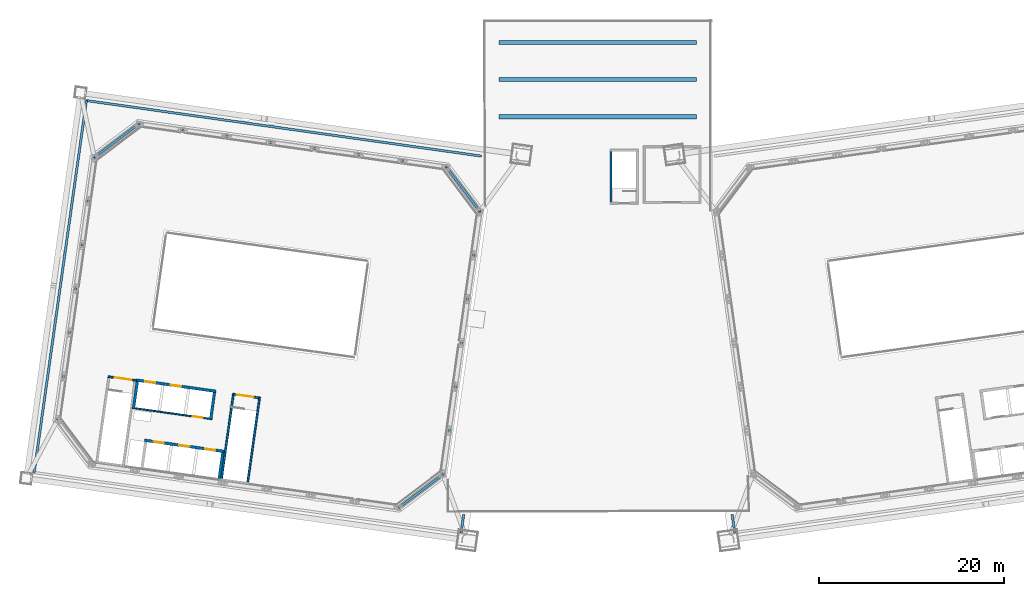
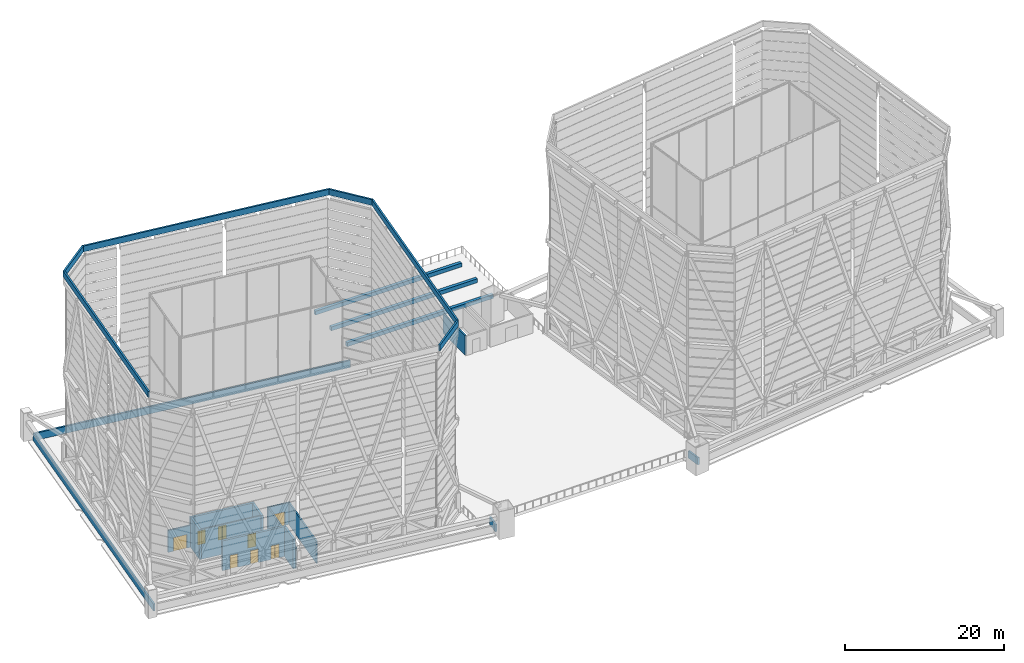
# One storey, part 20 of 45: 24 walls, 8 doors, 8 openings.
"""IFC4 building model written with IfcOpenShell, lengths in metres."""

from ifc_helpers import new_model, si_unit, direction, frame, frame_2d, origin, place, context, subcontext, project, spatial, rectangle, extrude, material, layer, layer_set, type_object, element, fill, save


model = new_model("IFC4")

# Units and contexts
model_context = context("Model", 3, precision=1e-05, world=origin(), true_north=direction((0.0, 1.0)))
body_context = subcontext(model_context, "Body", "Model", "MODEL_VIEW")
ifc_project = project(units=[si_unit("LENGTHUNIT", "METRE"), si_unit("AREAUNIT", "SQUARE_METRE"), si_unit("VOLUMEUNIT", "CUBIC_METRE"), si_unit("PLANEANGLEUNIT", "RADIAN"), si_unit("MASSUNIT", "GRAM", prefix="KILO")], contexts=[model_context])

# Site, building, storey
site_placement = place(None, origin())
site = spatial("IfcSite", under=ifc_project, at=site_placement, CompositionType="ELEMENT")
building_placement = place(site_placement, origin())
building = spatial("IfcBuilding", under=site, at=building_placement, Name="Mirante Cascada Hotel Towers", CompositionType="ELEMENT")
storey_placement = place(building_placement, frame((0.0, 0.0, 269.8)))
storey = spatial("IfcBuildingStorey", under=building, at=storey_placement, Name="Roof garden", CompositionType="ELEMENT", Elevation=269.8)

# Wall, opening, door
ifc_material_1 = material(Name="Concrete C50/60", Category="concrete")
ifc_layer_1 = layer(ifc_material_1, 0.15)
ifc_layer_set_1 = layer_set([ifc_layer_1], Name="Lift overrun wall 150 RC C50/60")
wall_type_1 = type_object("IfcWallType", Name="Lift overrun wall 150 RC C50/60", PredefinedType="SHEAR", material=ifc_layer_set_1)
wall_1_placement = place(storey_placement, frame((-41.6049, -12.3607, 0.0), z_axis=(0.0, 0.0, 1.0), x_axis=(-0.9902681, 0.1391729, 0.0)))
wall_1 = element("IfcWall", 1, at=wall_1_placement, inside=storey, type_object=wall_type_1, Name="Lift overrun wall T1 F1", PredefinedType="SHEAR", context=body_context, shape_type="SweptSolid", body=[
    extrude(rectangle(XDim=8.7, YDim=0.15, at=frame_2d((4.35, 0.0))), origin(), (0.0, 0.0, 1.0), 4.6),
])
opening_1_placement = place(wall_1_placement, frame((1.0, 0.0, 0.0)))
opening_1 = element("IfcOpeningElement", 2, at=opening_1_placement, cuts=wall_1, Name="Opening LD", PredefinedType="OPENING", context=body_context, shape_type="SweptSolid", body=[
    extrude(rectangle(XDim=1.1, YDim=2.1, at=frame_2d((0.55, 1.05))), frame((0.0, 0.075, 0.0), z_axis=(0.0, -1.0, 0.0), x_axis=(1.0, 0.0, 0.0)), (0.0, 0.0, 1.0), 0.15),
])
ifc_material_2 = material(Name="Stainless steel", Category="steel")
door_type_1 = type_object("IfcDoorType", Name="Lift landing door 1100x2100 EI 120", OperationType="DOUBLE_DOOR_SLIDING", PredefinedType="DOOR", material=ifc_material_2)
door_1_placement = place(opening_1_placement, origin())
door_1 = element("IfcDoor", 3, at=door_1_placement, inside=storey, type_object=door_type_1, Name="Lift landing door HR1-4 Roof", OperationType="DOUBLE_DOOR_SLIDING", OverallHeight=2.1, OverallWidth=1.1, PredefinedType="DOOR", context=body_context, shape_type="SweptSolid", body=[
    extrude(rectangle(XDim=0.545, YDim=2.1, at=frame_2d((0.2725, 1.05))), frame((0.0, 0.025, 0.0), z_axis=(0.0, -1.0, 0.0), x_axis=(1.0, 0.0, 0.0)), (0.0, 0.0, 1.0), 0.05),
    extrude(rectangle(XDim=0.545, YDim=2.1, at=frame_2d((0.8275, 1.05))), frame((0.0, 0.025, 0.0), z_axis=(0.0, -1.0, 0.0), x_axis=(1.0, 0.0, 0.0)), (0.0, 0.0, 1.0), 0.05),
])
fill(opening_1, door_1)

# Wall, openings, doors
ifc_material_3 = material(Name="Concrete C50/60", Category="concrete")
ifc_layer_2 = layer(ifc_material_3, 0.3)
ifc_layer_set_2 = layer_set([ifc_layer_2], Name="Lift overrun wall 300 RC C50/60")
wall_type_2 = type_object("IfcWallType", Name="Lift overrun wall 300 RC C50/60", PredefinedType="SHEAR", material=ifc_layer_set_2)
wall_2_placement = place(storey_placement, frame((-40.2782, -15.8544, 0.0), z_axis=(0.0, 0.0, 1.0), x_axis=(-0.9902681, 0.1391729, 0.0)))
wall_2 = element("IfcWall", 4, at=wall_2_placement, inside=storey, type_object=wall_type_2, Name="Lift overrun wall T1 R2", PredefinedType="SHEAR", context=body_context, shape_type="SweptSolid", body=[
    extrude(rectangle(XDim=8.7, YDim=0.3, at=frame_2d((4.35, 0.0))), origin(), (0.0, 0.0, 1.0), 4.6),
])
opening_2_placement = place(wall_2_placement, frame((1.0, 0.0, 0.0)))
opening_2 = element("IfcOpeningElement", 5, at=opening_2_placement, cuts=wall_2, Name="Opening LD", PredefinedType="OPENING", context=body_context, shape_type="SweptSolid", body=[
    extrude(rectangle(XDim=1.1, YDim=2.1, at=frame_2d((0.55, 1.05))), frame((0.0, 0.15, 0.0), z_axis=(0.0, -1.0, 0.0), x_axis=(1.0, 0.0, 0.0)), (0.0, 0.0, 1.0), 0.3),
])
opening_3_placement = place(wall_2_placement, frame((3.8, 0.0, 0.0)))
opening_3 = element("IfcOpeningElement", 6, at=opening_3_placement, cuts=wall_2, Name="Opening LD", PredefinedType="OPENING", context=body_context, shape_type="SweptSolid", body=[
    extrude(rectangle(XDim=1.1, YDim=2.1, at=frame_2d((0.55, 1.05))), frame((0.0, 0.15, 0.0), z_axis=(0.0, -1.0, 0.0), x_axis=(1.0, 0.0, 0.0)), (0.0, 0.0, 1.0), 0.3),
])
opening_4_placement = place(wall_2_placement, frame((6.6, 0.0, 0.0)))
opening_4 = element("IfcOpeningElement", 7, at=opening_4_placement, cuts=wall_2, Name="Opening LD", PredefinedType="OPENING", context=body_context, shape_type="SweptSolid", body=[
    extrude(rectangle(XDim=1.1, YDim=2.1, at=frame_2d((0.55, 1.05))), frame((0.0, 0.15, 0.0), z_axis=(0.0, -1.0, 0.0), x_axis=(1.0, 0.0, 0.0)), (0.0, 0.0, 1.0), 0.3),
])
door_2_placement = place(opening_2_placement, origin())
door_2 = element("IfcDoor", 8, at=door_2_placement, inside=storey, type_object=door_type_1, Name="Lift landing door HR1-1 Roof", OperationType="DOUBLE_DOOR_SLIDING", OverallHeight=2.1, OverallWidth=1.1, PredefinedType="DOOR", context=body_context, shape_type="SweptSolid", body=[
    extrude(rectangle(XDim=0.545, YDim=2.1, at=frame_2d((0.2725, 1.05))), frame((0.0, 0.025, 0.0), z_axis=(0.0, -1.0, 0.0), x_axis=(1.0, 0.0, 0.0)), (0.0, 0.0, 1.0), 0.05),
    extrude(rectangle(XDim=0.545, YDim=2.1, at=frame_2d((0.8275, 1.05))), frame((0.0, 0.025, 0.0), z_axis=(0.0, -1.0, 0.0), x_axis=(1.0, 0.0, 0.0)), (0.0, 0.0, 1.0), 0.05),
])
fill(opening_2, door_2)
door_3_placement = place(opening_3_placement, origin())
door_3 = element("IfcDoor", 9, at=door_3_placement, inside=storey, type_object=door_type_1, Name="Lift landing door HR1-2 Roof", OperationType="DOUBLE_DOOR_SLIDING", OverallHeight=2.1, OverallWidth=1.1, PredefinedType="DOOR", context=body_context, shape_type="SweptSolid", body=[
    extrude(rectangle(XDim=0.545, YDim=2.1, at=frame_2d((0.2725, 1.05))), frame((0.0, 0.025, 0.0), z_axis=(0.0, -1.0, 0.0), x_axis=(1.0, 0.0, 0.0)), (0.0, 0.0, 1.0), 0.05),
    extrude(rectangle(XDim=0.545, YDim=2.1, at=frame_2d((0.8275, 1.05))), frame((0.0, 0.025, 0.0), z_axis=(0.0, -1.0, 0.0), x_axis=(1.0, 0.0, 0.0)), (0.0, 0.0, 1.0), 0.05),
])
fill(opening_3, door_3)
door_4_placement = place(opening_4_placement, origin())
door_4 = element("IfcDoor", 10, at=door_4_placement, inside=storey, type_object=door_type_1, Name="Lift landing door HR1-3 Roof", OperationType="DOUBLE_DOOR_SLIDING", OverallHeight=2.1, OverallWidth=1.1, PredefinedType="DOOR", context=body_context, shape_type="SweptSolid", body=[
    extrude(rectangle(XDim=0.545, YDim=2.1, at=frame_2d((0.2725, 1.05))), frame((0.0, 0.025, 0.0), z_axis=(0.0, -1.0, 0.0), x_axis=(1.0, 0.0, 0.0)), (0.0, 0.0, 1.0), 0.05),
    extrude(rectangle(XDim=0.545, YDim=2.1, at=frame_2d((0.8275, 1.05))), frame((0.0, 0.025, 0.0), z_axis=(0.0, -1.0, 0.0), x_axis=(1.0, 0.0, 0.0)), (0.0, 0.0, 1.0), 0.05),
])
fill(opening_4, door_4)

# Wall
wall_3_placement = place(storey_placement, frame((-40.8582, -18.9033, 0.0), z_axis=(0.0, 0.0, 1.0), x_axis=(0.1391858, 0.9902663, 0.0)))
element("IfcWall", 11, at=wall_3_placement, inside=storey, type_object=wall_type_2, Name="Lift overrun wall T1 R3", PredefinedType="SHEAR", context=body_context, shape_type="SweptSolid", body=[
    extrude(rectangle(XDim=2.95, YDim=0.3, at=frame_2d((1.475, 0.0))), origin(), (0.0, 0.0, 1.0), 4.6),
])

# Wall, openings, doors
wall_4_placement = place(storey_placement, frame((-41.1839, -9.3652, 0.0), z_axis=(0.0, 0.0, 1.0), x_axis=(-0.9902681, 0.1391729, 0.0)))
wall_4 = element("IfcWall", 12, at=wall_4_placement, inside=storey, type_object=wall_type_2, Name="Lift overrun wall T1 F2", PredefinedType="SHEAR", context=body_context, shape_type="SweptSolid", body=[
    extrude(rectangle(XDim=8.7, YDim=0.3, at=frame_2d((4.35, 0.0))), origin(), (0.0, 0.0, 1.0), 4.6),
])
opening_5_placement = place(wall_4_placement, frame((3.8, 0.0, 0.0)))
opening_5 = element("IfcOpeningElement", 13, at=opening_5_placement, cuts=wall_4, Name="Opening LD", PredefinedType="OPENING", context=body_context, shape_type="SweptSolid", body=[
    extrude(rectangle(XDim=1.1, YDim=2.1, at=frame_2d((0.55, 1.05))), frame((0.0, 0.15, 0.0), z_axis=(0.0, -1.0, 0.0), x_axis=(1.0, 0.0, 0.0)), (0.0, 0.0, 1.0), 0.3),
])
opening_6_placement = place(wall_4_placement, frame((6.6, 0.0, 0.0)))
opening_6 = element("IfcOpeningElement", 14, at=opening_6_placement, cuts=wall_4, Name="Opening LD", PredefinedType="OPENING", context=body_context, shape_type="SweptSolid", body=[
    extrude(rectangle(XDim=1.1, YDim=2.1, at=frame_2d((0.55, 1.05))), frame((0.0, 0.15, 0.0), z_axis=(0.0, -1.0, 0.0), x_axis=(1.0, 0.0, 0.0)), (0.0, 0.0, 1.0), 0.3),
])
door_5_placement = place(opening_5_placement, origin())
door_5 = element("IfcDoor", 15, at=door_5_placement, inside=storey, type_object=door_type_1, Name="Lift landing door FF1 Roof", OperationType="DOUBLE_DOOR_SLIDING", OverallHeight=2.1, OverallWidth=1.1, PredefinedType="DOOR", context=body_context, shape_type="SweptSolid", body=[
    extrude(rectangle(XDim=0.545, YDim=2.1, at=frame_2d((0.2725, 1.05))), frame((0.0, 0.025, 0.0), z_axis=(0.0, -1.0, 0.0), x_axis=(1.0, 0.0, 0.0)), (0.0, 0.0, 1.0), 0.05),
    extrude(rectangle(XDim=0.545, YDim=2.1, at=frame_2d((0.8275, 1.05))), frame((0.0, 0.025, 0.0), z_axis=(0.0, -1.0, 0.0), x_axis=(1.0, 0.0, 0.0)), (0.0, 0.0, 1.0), 0.05),
])
fill(opening_5, door_5)
door_6_placement = place(opening_6_placement, origin())
door_6 = element("IfcDoor", 16, at=door_6_placement, inside=storey, type_object=door_type_1, Name="Lift landing door FF2 Roof", OperationType="DOUBLE_DOOR_SLIDING", OverallHeight=2.1, OverallWidth=1.1, PredefinedType="DOOR", context=body_context, shape_type="SweptSolid", body=[
    extrude(rectangle(XDim=0.545, YDim=2.1, at=frame_2d((0.2725, 1.05))), frame((0.0, 0.025, 0.0), z_axis=(0.0, -1.0, 0.0), x_axis=(1.0, 0.0, 0.0)), (0.0, 0.0, 1.0), 0.05),
    extrude(rectangle(XDim=0.545, YDim=2.1, at=frame_2d((0.8275, 1.05))), frame((0.0, 0.025, 0.0), z_axis=(0.0, -1.0, 0.0), x_axis=(1.0, 0.0, 0.0)), (0.0, 0.0, 1.0), 0.05),
])
fill(opening_6, door_6)

# Walls
for number, where, z_axis, x_axis, name in (
    (17, (-41.7639, -12.4141, 0.0), (0.0, 0.0, 1.0), (0.1391858, 0.9902663, 0.0), "Lift overrun wall T1 F3"),
    (18, (-50.0821, -11.2451, 0.0), (0.0, 0.0, 1.0), (0.1391858, 0.9902663, 0.0), "Lift overrun wall T1 F4"),
):
    element("IfcWall", number, at=place(storey_placement, frame(where, z_axis=z_axis, x_axis=x_axis)), inside=storey, type_object=wall_type_2, Name=name, PredefinedType="SHEAR", context=body_context, shape_type="SweptSolid", body=[
        extrude(rectangle(XDim=2.95, YDim=0.3, at=frame_2d((1.475, 0.0))), origin(), (0.0, 0.0, 1.0), 4.6),
    ])
ifc_material_4 = material(Name="Precast concrete C40/50", Category="concrete")
ifc_layer_3 = layer(ifc_material_4, 0.45)
ifc_layer_set_3 = layer_set([ifc_layer_3], Name="Planter wall 450 concrete C40/50")
wall_type_3 = type_object("IfcWallType", Name="Planter wall 450 concrete C40/50", PredefinedType="PARAPET", material=ifc_layer_set_3)
for number, where, z_axis, x_axis, name in (
    (19, (-10.6514, 28.2481, 0.0), (0.0, 0.0, 1.0), (1.0, 0.0, 0.0), "PLANTER sky park roof garden bed 1"),
    (20, (-10.6514, 24.2481, 0.0), (0.0, 0.0, 1.0), (1.0, 0.0, 0.0), "PLANTER sky park roof garden bed 2"),
    (21, (-10.6514, 20.2481, 0.0), (0.0, 0.0, 1.0), (1.0, 0.0, 0.0), "PLANTER sky park roof garden bed 3"),
):
    element("IfcWall", number, at=place(storey_placement, frame(where, z_axis=z_axis, x_axis=x_axis)), inside=storey, type_object=wall_type_3, Name=name, PredefinedType="PARAPET", context=body_context, shape_type="SweptSolid", body=[
        extrude(rectangle(XDim=21.3028, YDim=0.45, at=frame_2d((10.6514, 0.0))), origin(), (0.0, 0.0, 1.0), 0.6),
    ])
ifc_material_5 = material(Name="Precast concrete C40/50", Category="concrete")
ifc_layer_4 = layer(ifc_material_5, 0.2)
ifc_layer_set_4 = layer_set([ifc_layer_4], Name="Precast concrete C40/50 head-house wall 200 EI 120")
wall_type_4 = type_object("IfcWallType", Name="Precast concrete C40/50 head-house wall 200 EI 120", PredefinedType="STANDARD", material=ifc_layer_set_4)
wall_5_placement = place(storey_placement, frame((1.4, 16.51, 0.0), z_axis=(0.0, 0.0, 1.0), x_axis=(0.0, -1.0, 0.0)))
element("IfcWall", 22, at=wall_5_placement, inside=storey, type_object=wall_type_4, Name="Stair head-house wall west", PredefinedType="STANDARD", context=body_context, shape_type="SweptSolid", body=[
    extrude(rectangle(XDim=5.5, YDim=0.2, at=frame_2d((2.75, 0.0))), origin(), (0.0, 0.0, 1.0), 3.0),
])
ifc_material_6 = material(Name="Precast concrete C40/50", Category="concrete")
ifc_layer_5 = layer(ifc_material_6, 0.25)
ifc_layer_set_5 = layer_set([ifc_layer_5], Name="Roof parapet wall 250 concrete C40/50")
wall_type_5 = type_object("IfcWallType", Name="Roof parapet wall 250 concrete C40/50", PredefinedType="PARAPET", material=ifc_layer_set_5)
wall_6_placement = place(storey_placement, frame((-14.4731, -22.6519, 0.0), z_axis=(0.0, 0.0, 1.0), x_axis=(-0.1391853, -0.9902664, 0.0)))
element("IfcWall", 23, at=wall_6_placement, inside=storey, type_object=wall_type_5, Name="Crown edge parapet T1 1", PredefinedType="PARAPET", context=body_context, shape_type="SweptSolid", body=[
    extrude(rectangle(XDim=1.96, YDim=0.25, at=frame_2d((0.98, 0.0))), origin(), (0.0, 0.0, 1.0), 1.1),
])
wall_7_placement = place(storey_placement, frame((-60.7933, -18.1213, 0.0), z_axis=(0.0, 0.0, 1.0), x_axis=(0.1391727, 0.9902681, 0.0)))
element("IfcWall", 24, at=wall_7_placement, inside=storey, type_object=wall_type_5, Name="Crown edge parapet T1 3", PredefinedType="PARAPET", context=body_context, shape_type="SweptSolid", body=[
    extrude(rectangle(XDim=40.5, YDim=0.25, at=frame_2d((20.25, 0.0))), origin(), (0.0, 0.0, 1.0), 1.1),
])
wall_8_placement = place(storey_placement, frame((-55.1568, 21.9846, 0.0), z_axis=(0.0, 0.0, 1.0), x_axis=(0.9902681, -0.1391731, 0.0)))
element("IfcWall", 25, at=wall_8_placement, inside=storey, type_object=wall_type_5, Name="Crown edge parapet T1 4", PredefinedType="PARAPET", context=body_context, shape_type="SweptSolid", body=[
    extrude(rectangle(XDim=43.0241, YDim=0.25, at=frame_2d((21.512, 0.0))), origin(), (0.0, 0.0, 1.0), 1.1),
])
wall_9_placement = place(storey_placement, frame((-21.4918, -21.928, 28.6), z_axis=(0.0, 0.0, 1.0), x_axis=(0.7986379, 0.6018118, 0.0)))
element("IfcWall", 26, at=wall_9_placement, inside=storey, type_object=wall_type_5, Name="Crown roof parapet T1 1", PredefinedType="PARAPET", context=body_context, shape_type="SweptSolid", body=[
    extrude(rectangle(XDim=5.9911, YDim=0.25, at=frame_2d((2.9956, 0.0))), origin(), (0.0, 0.0, 1.0), 0.9),
])
wall_10_placement = place(storey_placement, frame((-16.7071, -18.3225, 28.6), z_axis=(0.0, 0.0, 1.0), x_axis=(0.1391753, 0.9902678, 0.0)))
element("IfcWall", 27, at=wall_10_placement, inside=storey, type_object=wall_type_5, Name="Crown roof parapet T1 2", PredefinedType="PARAPET", context=body_context, shape_type="SweptSolid", body=[
    extrude(rectangle(XDim=28.6272, YDim=0.25, at=frame_2d((14.3136, 0.0))), origin(), (0.0, 0.0, 1.0), 0.9),
])
wall_11_placement = place(storey_placement, frame((-12.7229, 10.0261, 28.6), z_axis=(0.0, 0.0, 1.0), x_axis=(-0.6018144, 0.7986359, 0.0)))
element("IfcWall", 28, at=wall_11_placement, inside=storey, type_object=wall_type_5, Name="Crown roof parapet T1 3", PredefinedType="PARAPET", context=body_context, shape_type="SweptSolid", body=[
    extrude(rectangle(XDim=5.9912, YDim=0.25, at=frame_2d((2.9956, 0.0))), origin(), (0.0, 0.0, 1.0), 0.9),
])
wall_12_placement = place(storey_placement, frame((-16.3285, 14.8109, 28.6), z_axis=(0.0, 0.0, 1.0), x_axis=(-0.9902682, 0.1391722, 0.0)))
element("IfcWall", 29, at=wall_12_placement, inside=storey, type_object=wall_type_5, Name="Crown roof parapet T1 4", PredefinedType="PARAPET", context=body_context, shape_type="SweptSolid", body=[
    extrude(rectangle(XDim=33.5124, YDim=0.25, at=frame_2d((16.7562, 0.0))), origin(), (0.0, 0.0, 1.0), 0.9),
])
wall_13_placement = place(storey_placement, frame((-49.5148, 19.4749, 28.6), z_axis=(0.0, 0.0, 1.0), x_axis=(-0.7986379, -0.6018118, 0.0)))
element("IfcWall", 30, at=wall_13_placement, inside=storey, type_object=wall_type_5, Name="Crown roof parapet T1 5", PredefinedType="PARAPET", context=body_context, shape_type="SweptSolid", body=[
    extrude(rectangle(XDim=5.9911, YDim=0.25, at=frame_2d((2.9956, 0.0))), origin(), (0.0, 0.0, 1.0), 0.9),
])
wall_14_placement = place(storey_placement, frame((-54.2995, 15.8694, 28.6), z_axis=(0.0, 0.0, 1.0), x_axis=(-0.1391748, -0.9902678, 0.0)))
element("IfcWall", 31, at=wall_14_placement, inside=storey, type_object=wall_type_5, Name="Crown roof parapet T1 6", PredefinedType="PARAPET", context=body_context, shape_type="SweptSolid", body=[
    extrude(rectangle(XDim=28.6273, YDim=0.25, at=frame_2d((14.3136, 0.0))), origin(), (0.0, 0.0, 1.0), 0.9),
])
wall_15_placement = place(storey_placement, frame((14.7459, -24.5928, 0.0), z_axis=(0.0, 0.0, 1.0), x_axis=(-0.1391853, 0.9902664, 0.0)))
element("IfcWall", 32, at=wall_15_placement, inside=storey, type_object=wall_type_5, Name="Crown edge parapet T2 4", PredefinedType="PARAPET", context=body_context, shape_type="SweptSolid", body=[
    extrude(rectangle(XDim=1.96, YDim=0.25, at=frame_2d((0.98, 0.0))), origin(), (0.0, 0.0, 1.0), 1.1),
])

# Wall, opening, door
ifc_material_7 = material(Name="Concrete C50/60", Category="concrete")
ifc_layer_6 = layer(ifc_material_7, 0.2)
ifc_layer_set_6 = layer_set([ifc_layer_6], Name="Stair head-house wall 200 RC C50/60")
wall_type_6 = type_object("IfcWallType", Name="Stair head-house wall 200 RC C50/60", PredefinedType="SHEAR", material=ifc_layer_set_6)
wall_16_placement = place(storey_placement, frame((-36.388, -10.0897, 0.0), z_axis=(0.0, 0.0, 1.0), x_axis=(-0.9902676, 0.1391765, 0.0)))
wall_16 = element("IfcWall", 33, at=wall_16_placement, inside=storey, type_object=wall_type_6, Name="Stair head-house wall T1 AF", PredefinedType="SHEAR", context=body_context, shape_type="SweptSolid", body=[
    extrude(rectangle(XDim=3.0501, YDim=0.2, at=frame_2d((1.525, 0.0))), origin(), (0.0, 0.0, 1.0), 3.4),
])
opening_7_placement = place(wall_16_placement, frame((0.725, 0.0, 0.0)))
opening_7 = element("IfcOpeningElement", 34, at=opening_7_placement, cuts=wall_16, Name="Opening D1-RF-A", PredefinedType="OPENING", context=body_context, shape_type="SweptSolid", body=[
    extrude(rectangle(XDim=1.8, YDim=2.1, at=frame_2d((0.9, 1.05))), frame((0.0, 0.1, 0.0), z_axis=(0.0, -1.0, 0.0), x_axis=(1.0, 0.0, 0.0)), (0.0, 0.0, 1.0), 0.2),
])
ifc_material_8 = material(Name="Hollow metal fire door leaf")
door_type_2 = type_object("IfcDoorType", Name="Double fire door 1800x2100 FD60", OperationType="DOUBLE_DOOR_SINGLE_SWING", PredefinedType="DOOR", material=ifc_material_8)
door_7_placement = place(opening_7_placement, frame((1.8, 0.0, 0.0), z_axis=(0.0, 0.0, 1.0), x_axis=(-1.0, 0.0, 0.0)))
door_7 = element("IfcDoor", 35, at=door_7_placement, inside=storey, type_object=door_type_2, Name="Stair door T1 Roof A", OperationType="DOUBLE_DOOR_SINGLE_SWING", OverallHeight=2.1, OverallWidth=1.8, PredefinedType="DOOR", context=body_context, shape_type="SweptSolid", body=[
    extrude(rectangle(XDim=0.895, YDim=2.1, at=frame_2d((0.4475, 1.05))), frame((0.0, 0.025, 0.0), z_axis=(0.0, -1.0, 0.0), x_axis=(1.0, 0.0, 0.0)), (0.0, 0.0, 1.0), 0.05),
    extrude(rectangle(XDim=0.895, YDim=2.1, at=frame_2d((1.3525, 1.05))), frame((0.0, 0.025, 0.0), z_axis=(0.0, -1.0, 0.0), x_axis=(1.0, 0.0, 0.0)), (0.0, 0.0, 1.0), 0.05),
])
fill(opening_7, door_7)

# Walls
wall_17_placement = place(storey_placement, frame((-37.7883, -19.3348, 0.0), z_axis=(0.0, 0.0, 1.0), x_axis=(0.1391674, 0.9902689, 0.0)))
element("IfcWall", 36, at=wall_17_placement, inside=storey, type_object=wall_type_6, Name="Stair head-house wall T1 AW", PredefinedType="SHEAR", context=body_context, shape_type="SweptSolid", body=[
    extrude(rectangle(XDim=9.25, YDim=0.2, at=frame_2d((4.625, 0.0))), origin(), (0.0, 0.0, 1.0), 3.4),
])
wall_18_placement = place(storey_placement, frame((-40.6106, -18.9381, 0.0), z_axis=(0.0, 0.0, 1.0), x_axis=(0.1391795, 0.9902672, 0.0)))
element("IfcWall", 37, at=wall_18_placement, inside=storey, type_object=wall_type_6, Name="Stair head-house wall T1 AE", PredefinedType="SHEAR", context=body_context, shape_type="SweptSolid", body=[
    extrude(rectangle(XDim=9.2499, YDim=0.2, at=frame_2d((4.625, 0.0))), origin(), (0.0, 0.0, 1.0), 3.4),
])

# Wall, opening, door
wall_19_placement = place(storey_placement, frame((-49.8062, -8.2039, 0.0), z_axis=(0.0, 0.0, 1.0), x_axis=(-0.990267, 0.139181, 0.0)))
wall_19 = element("IfcWall", 38, at=wall_19_placement, inside=storey, type_object=wall_type_6, Name="Stair head-house wall T1 BF", PredefinedType="SHEAR", context=body_context, shape_type="SweptSolid", body=[
    extrude(rectangle(XDim=3.05, YDim=0.2, at=frame_2d((1.525, 0.0))), origin(), (0.0, 0.0, 1.0), 3.4),
])
opening_8_placement = place(wall_19_placement, frame((0.525, 0.0, 0.0)))
opening_8 = element("IfcOpeningElement", 39, at=opening_8_placement, cuts=wall_19, Name="Opening D1-RF-B", PredefinedType="OPENING", context=body_context, shape_type="SweptSolid", body=[
    extrude(rectangle(XDim=1.8, YDim=2.1, at=frame_2d((0.9, 1.05))), frame((0.0, 0.1, 0.0), z_axis=(0.0, -1.0, 0.0), x_axis=(1.0, 0.0, 0.0)), (0.0, 0.0, 1.0), 0.2),
])
door_8_placement = place(opening_8_placement, frame((1.8, 0.0, 0.0), z_axis=(0.0, 0.0, 1.0), x_axis=(-1.0, 0.0, 0.0)))
door_8 = element("IfcDoor", 40, at=door_8_placement, inside=storey, type_object=door_type_2, Name="Stair door T1 Roof B", OperationType="DOUBLE_DOOR_SINGLE_SWING", OverallHeight=2.1, OverallWidth=1.8, PredefinedType="DOOR", context=body_context, shape_type="SweptSolid", body=[
    extrude(rectangle(XDim=0.895, YDim=2.1, at=frame_2d((0.4475, 1.05))), frame((0.0, 0.025, 0.0), z_axis=(0.0, -1.0, 0.0), x_axis=(1.0, 0.0, 0.0)), (0.0, 0.0, 1.0), 0.05),
    extrude(rectangle(XDim=0.895, YDim=2.1, at=frame_2d((1.3525, 1.05))), frame((0.0, 0.025, 0.0), z_axis=(0.0, -1.0, 0.0), x_axis=(1.0, 0.0, 0.0)), (0.0, 0.0, 1.0), 0.05),
])
fill(opening_8, door_8)

save(model, "model.ifc")
